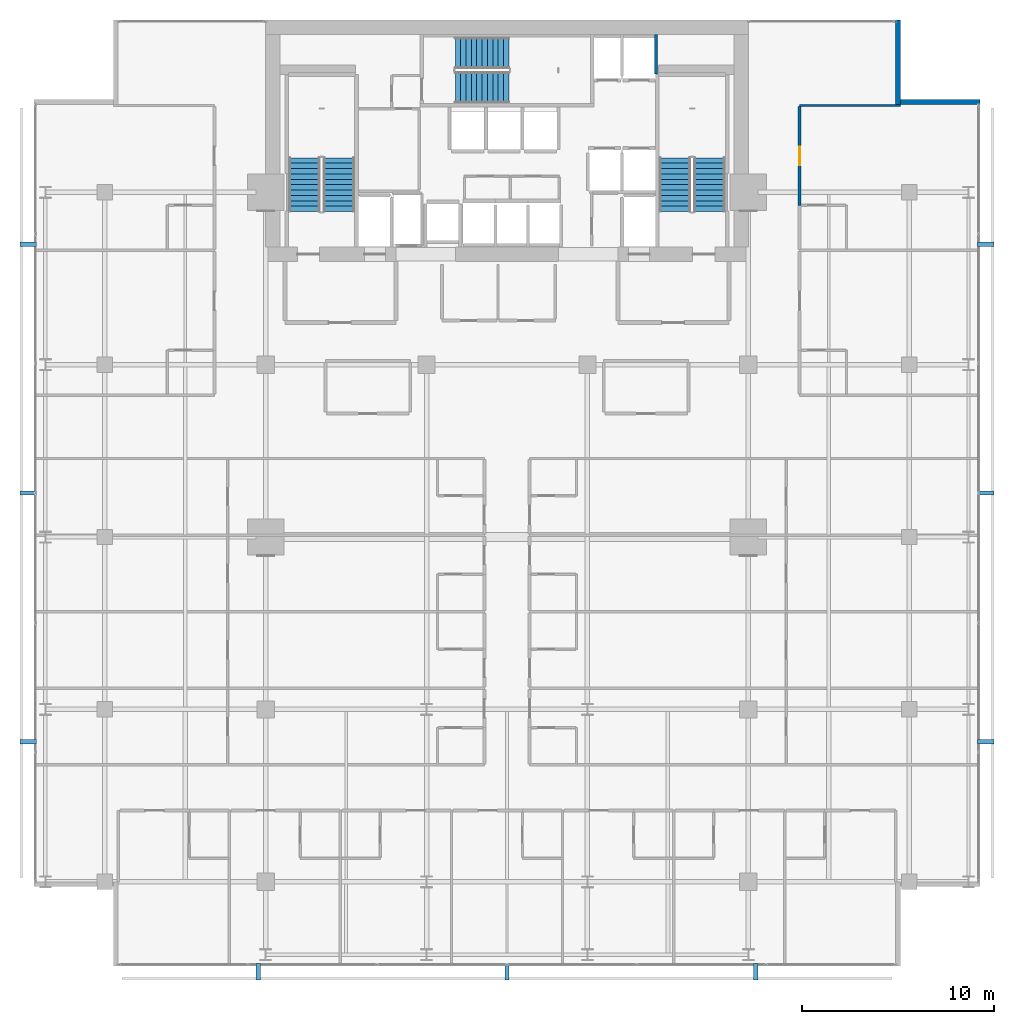
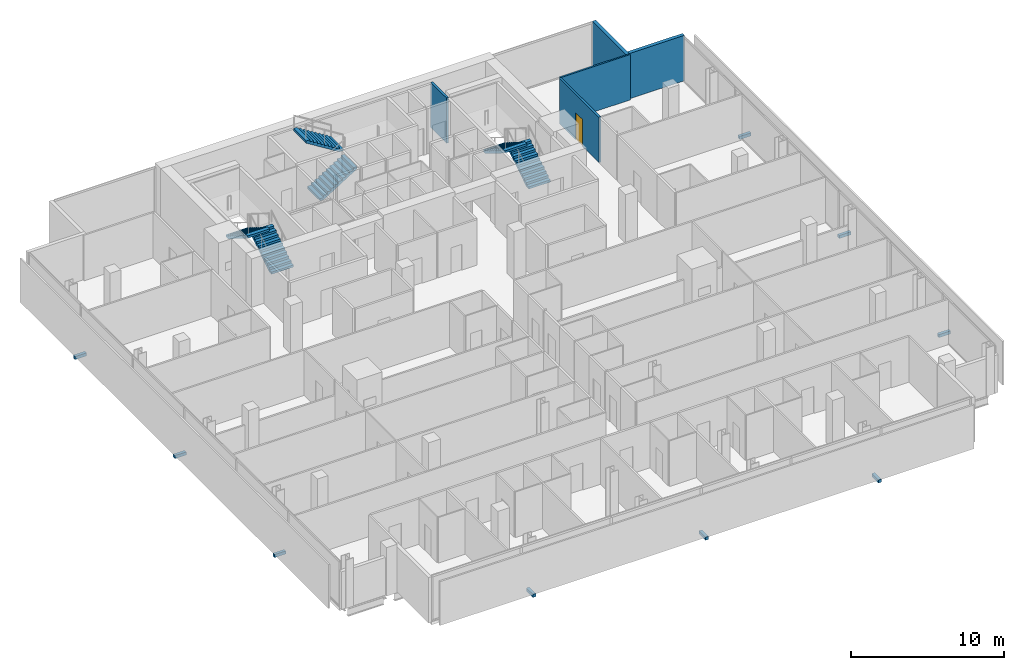
# One storey, part 32 of 34: 9 discrete accessories, 6 stair flights, 5 walls, 1 door, 1 opening, 3 elements without a shape of their own.
"""IFC4 building model written with IfcOpenShell, lengths in metres."""

from ifc_helpers import new_model, si_unit, direction, frame, frame_2d, origin, origin_2d, place, context, subcontext, project, spatial, polyline, rectangle, outline, extrude, material, layer, layer_set, type_object, element, fill, aggregate, save


model = new_model("IFC4")

# Units and contexts
model_context = context("Model", 3, precision=1e-05, world=origin(), true_north=direction((0.0, 1.0)))
body_context = subcontext(model_context, "Body", "Model", "MODEL_VIEW")
ifc_project = project(units=[si_unit("LENGTHUNIT", "METRE"), si_unit("AREAUNIT", "SQUARE_METRE"), si_unit("VOLUMEUNIT", "CUBIC_METRE"), si_unit("PLANEANGLEUNIT", "RADIAN"), si_unit("MASSUNIT", "GRAM", prefix="KILO")], contexts=[model_context])

# Site, building, storey
site_placement = place(None, origin())
site = spatial("IfcSite", under=ifc_project, at=site_placement, CompositionType="ELEMENT")
building_placement = place(site_placement, origin())
building = spatial("IfcBuilding", under=site, at=building_placement, Name="Maruvema Waterfront Hotel and Observation Tower", CompositionType="ELEMENT")
storey_placement = place(building_placement, frame((0.0, 0.0, 135.10009765625)))
storey = spatial("IfcBuildingStorey", under=building, at=storey_placement, Name="L32", CompositionType="ELEMENT", Elevation=135.10009765625)

# Wall, opening, door
ifc_material_1 = material(Name="Twin-stud acoustic gypsum drywall", Category="gypsum")
ifc_layer_1 = layer(ifc_material_1, 0.14990234375, Name="Acoustic Corridor and Suite Demising Wall 150 mm")
ifc_layer_set_1 = layer_set([ifc_layer_1], Name="Twin-stud acoustic gypsum drywall")
wall_type_1 = type_object("IfcWallType", Name="Acoustic Corridor and Suite Demising Wall 150 mm", PredefinedType="PARTITIONING", material=ifc_layer_set_1)
wall_1_placement = place(storey_placement, frame((53.080078125, 44.31884765625, 0.0), z_axis=(0.0, 0.0, 1.0), x_axis=(0.0, 1.0, 0.0)))
wall_1 = element("IfcWall", 1, at=wall_1_placement, inside=storey, type_object=wall_type_1, Name="L32 Room L32-NE2 Corridor Wall 140", PredefinedType="PARTITIONING", context=body_context, shape_type="SweptSolid", body=[
    extrude(rectangle(XDim=5.15869140625, YDim=0.14990234375, at=frame_2d((2.579345703125, 0.0))), origin(), (0.0, 0.0, 1.0), 3.60986328125),
])
opening_placement = place(wall_1_placement, frame((2.104248046875, 0.0, 0.0)))
opening = element("IfcOpeningElement", 2, at=opening_placement, cuts=wall_1, Name="Opening DR-095", PredefinedType="OPENING", context=body_context, shape_type="SweptSolid", body=[
    extrude(rectangle(XDim=0.949951171875, YDim=2.14990234375, at=frame_2d((0.47509765625, 1.074951171875))), frame((0.0, 0.0849609375, 0.0), z_axis=(0.0, -1.0, 0.0), x_axis=(1.0, 0.0, 0.0)), (0.0, 0.0, 1.0), 0.169921875),
])
ifc_material_2 = material(Name="Acoustic solid-core hardwood timber leaf", Category="wood")
door_type = type_object("IfcDoorType", Name="Guestroom Entrance Fire Door 950x2150 mm", OperationType="NOTDEFINED", PredefinedType="DOOR", material=ifc_material_2)
door_placement = place(opening_placement, frame((0.949951171875, 0.0, 0.0), z_axis=(0.0, 0.0, 1.0), x_axis=(-1.0, 0.0, 0.0)))
door = element("IfcDoor", 3, at=door_placement, inside=storey, type_object=door_type, Name="L32 Room L32-NE2 Entrance Door", OperationType="SINGLE_SWING_RIGHT", OverallHeight=2.14990234375, OverallWidth=0.949951171875, PredefinedType="DOOR", context=body_context, shape_type="SweptSolid", body=[
    extrude(rectangle(XDim=0.949951171875, YDim=2.14990234375, at=frame_2d((0.47509765625, 1.074951171875))), frame((0.0, 0.02490234375, 0.0), z_axis=(0.0, -1.0, 0.0), x_axis=(1.0, 0.0, 0.0)), (0.0, 0.0, 1.0), 0.050048828125),
])
fill(opening, door)

# Walls
ifc_material_3 = material(Name="Precast concrete C45/55 with honed Pernambuco granite facing", Category="masonry")
ifc_layer_2 = layer(ifc_material_3, 0.260009765625, Name="Exterior Granite Clad Spandrel and Pier Wall 260 mm")
ifc_layer_set_2 = layer_set([ifc_layer_2], Name="Precast concrete C45/55 with honed Pernambuco granite facing")
wall_type_2 = type_object("IfcWallType", Name="Exterior Granite Clad Spandrel and Pier Wall 260 mm", PredefinedType="SOLIDWALL", material=ifc_layer_set_2)
for number, where, z_axis, x_axis, name in (
    (4, (58.22998046875, 54.0, 0.0), (0.0, 0.0, 1.0), (0.0, -1.0, 0.0), "L32 Corner Notch Granite Pier Wall NE1"),
    (5, (58.10009765625, 49.72998046875, 0.0), (0.0, 0.0, 1.0), (1.0, 0.0, 0.0), "L32 Corner Notch Granite Pier Wall NE2"),
):
    element("IfcWall", number, at=place(storey_placement, frame(where, z_axis=z_axis, x_axis=x_axis)), inside=storey, type_object=wall_type_2, Name=name, PredefinedType="SOLIDWALL", context=body_context, shape_type="SweptSolid", body=[
        extrude(rectangle(XDim=4.39990234375, YDim=0.260009765625, at=frame_2d((2.199951171875, 0.0))), origin(), (0.0, 0.0, 1.0), 3.60986328125),
    ])
ifc_material_4 = material(Name="Acoustic gypsum plasterboard drywall", Category="gypsum")
ifc_layer_3 = layer(ifc_material_4, 0.125, Name="Guestroom Acoustic Demising Wall 125 mm")
ifc_layer_set_3 = layer_set([ifc_layer_3], Name="Acoustic gypsum plasterboard drywall")
wall_type_3 = type_object("IfcWallType", Name="Guestroom Acoustic Demising Wall 125 mm", PredefinedType="PARTITIONING", material=ifc_layer_set_3)
wall_2_placement = place(storey_placement, frame((53.080078125, 49.53759765625, 0.0), z_axis=(0.0, 0.0, 1.0), x_axis=(1.0, 0.0, 0.0)))
element("IfcWall", 6, at=wall_2_placement, inside=storey, type_object=wall_type_3, Name="L32 Z2 NE Top End 124", PredefinedType="PARTITIONING", context=body_context, shape_type="SweptSolid", body=[
    extrude(rectangle(XDim=5.280029296875, YDim=0.125, at=frame_2d((2.64013671875, 0.0))), origin(), (0.0, 0.0, 1.0), 3.60986328125),
])
ifc_material_5 = material(Name="Precast concrete C45/55", Category="concrete")
ifc_layer_4 = layer(ifc_material_5, 0.159912109375, Name="Lift Hoistway Divider Wall 160 mm")
ifc_layer_set_4 = layer_set([ifc_layer_4], Name="Precast concrete C45/55")
wall_type_4 = type_object("IfcWallType", Name="Lift Hoistway Divider Wall 160 mm", PredefinedType="SOLIDWALL", material=ifc_layer_set_4)
wall_3_placement = place(storey_placement, frame((45.590087890625, 51.179931640625, 0.0), z_axis=(0.0, 0.0, 1.0), x_axis=(0.0, 1.0, 0.0)))
element("IfcWall", 7, at=wall_3_placement, inside=storey, type_object=wall_type_4, Name="L32 Hoistway Divider Wall", PredefinedType="SOLIDWALL", context=body_context, shape_type="SweptSolid", body=[
    extrude(rectangle(XDim=2.070068359375, YDim=0.159912109375, at=frame_2d((1.03515625, 0.0))), origin(), (0.0, 0.0, 1.0), 3.60986328125),
])

# Stair, stair flights
ifc_material_6 = material(Name="Concrete C50/60", Category="concrete")
stair_type = type_object("IfcStairType", Name="Dogleg Exit Stair 1650 mm (22R x 175.0 mm)", PredefinedType="HALF_TURN_STAIR", material=ifc_material_6)
stair_1_placement = place(storey_placement, origin())
stair_1 = element("IfcStair", 8, at=stair_1_placement, inside=storey, type_object=stair_type, Name="L32 ST-01", PredefinedType="HALF_TURN_STAIR")
ifc_material_7 = material(Name="Concrete C50/60", Category="concrete")
stair_flight_type = type_object("IfcStairFlightType", Name="Reinforced Concrete Stair Flight 1650 mm (11R x 175.0 mm)", PredefinedType="STRAIGHT", material=ifc_material_7)
stair_flight_1_placement = place(storey_placement, frame((29.02490234375, 44.0, 0.0), z_axis=(0.0, 0.0, 1.0), x_axis=(0.0, 1.0, 0.0)))
stair_flight_1 = element("IfcStairFlight", 9, at=stair_flight_1_placement, type_object=stair_flight_type, Name="ST-01 flight 1", NumberOfRisers=11, NumberOfTreads=10, PredefinedType="STRAIGHT", RiserHeight=0.175, TreadLength=0.28, context=body_context, shape_type="SweptSolid", body=[
    extrude(outline(polyline([(0.0, 0.0), (0.0, 0.175048828125), (0.280029296875, 0.175048828125), (0.280029296875, 0.35009765625), (0.56005859375, 0.35009765625), (0.56005859375, 0.52490234375), (0.840087890625, 0.52490234375), (0.840087890625, 0.699951171875), (1.1201171875, 0.699951171875), (1.1201171875, 0.875), (1.39990234375, 0.875), (1.39990234375, 1.050048828125), (1.679931640625, 1.050048828125), (1.679931640625, 1.22509765625), (1.9599609375, 1.22509765625), (1.9599609375, 1.39990234375), (2.239990234375, 1.39990234375), (2.239990234375, 1.574951171875), (2.52001953125, 1.574951171875), (2.52001953125, 1.75), (2.800048828125, 1.75), (2.800048828125, 1.925048828125), (2.800048828125, 1.5732421875), (0.28271484375, 0.0), (0.0, 0.0)])), frame((0.0, 0.824951171875, 0.0), z_axis=(0.0, -1.0, 0.0), x_axis=(1.0, 0.0, 0.0)), (0.0, 0.0, 1.0), 1.64990234375),
])
stair_flight_2_placement = place(storey_placement, frame((27.22509765625, 46.800048828125, 1.9248046875), z_axis=(0.0, 0.0, 1.0), x_axis=(0.0, -1.0, 0.0)))
stair_flight_2 = element("IfcStairFlight", 10, at=stair_flight_2_placement, type_object=stair_flight_type, Name="ST-01 flight 2", NumberOfRisers=11, NumberOfTreads=10, PredefinedType="STRAIGHT", RiserHeight=0.175, TreadLength=0.28, context=body_context, shape_type="SweptSolid", body=[
    extrude(outline(polyline([(0.0, 0.0), (0.0, 0.175048828125), (0.280029296875, 0.175048828125), (0.280029296875, 0.35009765625), (0.56005859375, 0.35009765625), (0.56005859375, 0.52490234375), (0.840087890625, 0.52490234375), (0.840087890625, 0.699951171875), (1.1201171875, 0.699951171875), (1.1201171875, 0.875), (1.39990234375, 0.875), (1.39990234375, 1.050048828125), (1.679931640625, 1.050048828125), (1.679931640625, 1.22509765625), (1.9599609375, 1.22509765625), (1.9599609375, 1.39990234375), (2.239990234375, 1.39990234375), (2.239990234375, 1.574951171875), (2.52001953125, 1.574951171875), (2.52001953125, 1.75), (2.800048828125, 1.75), (2.800048828125, 1.925048828125), (2.800048828125, 1.5732421875), (0.28271484375, 0.0), (0.0, 0.0)])), frame((0.0, 0.824951171875, 0.0), z_axis=(0.0, -1.0, 0.0), x_axis=(1.0, 0.0, 0.0)), (0.0, 0.0, 1.0), 1.64990234375),
])
aggregate(stair_1, [stair_flight_1, stair_flight_2])

stair_2_placement = place(storey_placement, origin())
stair_2 = element("IfcStair", 11, at=stair_2_placement, inside=storey, type_object=stair_type, Name="L32 ST-02", PredefinedType="HALF_TURN_STAIR")
stair_flight_3_placement = place(storey_placement, frame((35.10009765625, 50.47509765625, 0.0), z_axis=(0.0, 0.0, 1.0), x_axis=(1.0, 0.0, 0.0)))
stair_flight_3 = element("IfcStairFlight", 12, at=stair_flight_3_placement, type_object=stair_flight_type, Name="ST-02 flight 1", NumberOfRisers=11, NumberOfTreads=10, PredefinedType="STRAIGHT", RiserHeight=0.175, TreadLength=0.28, context=body_context, shape_type="SweptSolid", body=[
    extrude(outline(polyline([(0.0, 0.0), (0.0, 0.175048828125), (0.280029296875, 0.175048828125), (0.280029296875, 0.35009765625), (0.56005859375, 0.35009765625), (0.56005859375, 0.52490234375), (0.840087890625, 0.52490234375), (0.840087890625, 0.699951171875), (1.1201171875, 0.699951171875), (1.1201171875, 0.875), (1.39990234375, 0.875), (1.39990234375, 1.050048828125), (1.679931640625, 1.050048828125), (1.679931640625, 1.22509765625), (1.9599609375, 1.22509765625), (1.9599609375, 1.39990234375), (2.239990234375, 1.39990234375), (2.239990234375, 1.574951171875), (2.52001953125, 1.574951171875), (2.52001953125, 1.75), (2.800048828125, 1.75), (2.800048828125, 1.925048828125), (2.800048828125, 1.5732421875), (0.28271484375, 0.0), (0.0, 0.0)])), frame((0.0, 0.824951171875, 0.0), z_axis=(0.0, -1.0, 0.0), x_axis=(1.0, 0.0, 0.0)), (0.0, 0.0, 1.0), 1.64990234375),
])
stair_flight_4_placement = place(storey_placement, frame((37.89990234375, 52.27490234375, 1.9248046875), z_axis=(0.0, 0.0, 1.0), x_axis=(-1.0, 0.0, 0.0)))
stair_flight_4 = element("IfcStairFlight", 13, at=stair_flight_4_placement, type_object=stair_flight_type, Name="ST-02 flight 2", NumberOfRisers=11, NumberOfTreads=10, PredefinedType="STRAIGHT", RiserHeight=0.175, TreadLength=0.28, context=body_context, shape_type="SweptSolid", body=[
    extrude(outline(polyline([(0.0, 0.0), (0.0, 0.175048828125), (0.280029296875, 0.175048828125), (0.280029296875, 0.35009765625), (0.56005859375, 0.35009765625), (0.56005859375, 0.52490234375), (0.840087890625, 0.52490234375), (0.840087890625, 0.699951171875), (1.1201171875, 0.699951171875), (1.1201171875, 0.875), (1.39990234375, 0.875), (1.39990234375, 1.050048828125), (1.679931640625, 1.050048828125), (1.679931640625, 1.22509765625), (1.9599609375, 1.22509765625), (1.9599609375, 1.39990234375), (2.239990234375, 1.39990234375), (2.239990234375, 1.574951171875), (2.52001953125, 1.574951171875), (2.52001953125, 1.75), (2.800048828125, 1.75), (2.800048828125, 1.925048828125), (2.800048828125, 1.5732421875), (0.28271484375, 0.0), (0.0, 0.0)])), frame((0.0, 0.824951171875, 0.0), z_axis=(0.0, -1.0, 0.0), x_axis=(1.0, 0.0, 0.0)), (0.0, 0.0, 1.0), 1.64990234375),
])
aggregate(stair_2, [stair_flight_3, stair_flight_4])

stair_3_placement = place(storey_placement, origin())
stair_3 = element("IfcStair", 14, at=stair_3_placement, inside=storey, type_object=stair_type, Name="L32 ST-03", PredefinedType="HALF_TURN_STAIR")
stair_flight_5_placement = place(storey_placement, frame((48.375, 44.0, 0.0), z_axis=(0.0, 0.0, 1.0), x_axis=(0.0, 1.0, 0.0)))
stair_flight_5 = element("IfcStairFlight", 15, at=stair_flight_5_placement, type_object=stair_flight_type, Name="ST-03 flight 1", NumberOfRisers=11, NumberOfTreads=10, PredefinedType="STRAIGHT", RiserHeight=0.175, TreadLength=0.28, context=body_context, shape_type="SweptSolid", body=[
    extrude(outline(polyline([(0.0, 0.0), (0.0, 0.175048828125), (0.280029296875, 0.175048828125), (0.280029296875, 0.35009765625), (0.56005859375, 0.35009765625), (0.56005859375, 0.52490234375), (0.840087890625, 0.52490234375), (0.840087890625, 0.699951171875), (1.1201171875, 0.699951171875), (1.1201171875, 0.875), (1.39990234375, 0.875), (1.39990234375, 1.050048828125), (1.679931640625, 1.050048828125), (1.679931640625, 1.22509765625), (1.9599609375, 1.22509765625), (1.9599609375, 1.39990234375), (2.239990234375, 1.39990234375), (2.239990234375, 1.574951171875), (2.52001953125, 1.574951171875), (2.52001953125, 1.75), (2.800048828125, 1.75), (2.800048828125, 1.925048828125), (2.800048828125, 1.5732421875), (0.28271484375, 0.0), (0.0, 0.0)])), frame((0.0, 0.824951171875, 0.0), z_axis=(0.0, -1.0, 0.0), x_axis=(1.0, 0.0, 0.0)), (0.0, 0.0, 1.0), 1.64990234375),
])
stair_flight_6_placement = place(storey_placement, frame((46.574951171875, 46.800048828125, 1.9248046875), z_axis=(0.0, 0.0, 1.0), x_axis=(0.0, -1.0, 0.0)))
stair_flight_6 = element("IfcStairFlight", 16, at=stair_flight_6_placement, type_object=stair_flight_type, Name="ST-03 flight 2", NumberOfRisers=11, NumberOfTreads=10, PredefinedType="STRAIGHT", RiserHeight=0.175, TreadLength=0.28, context=body_context, shape_type="SweptSolid", body=[
    extrude(outline(polyline([(0.0, 0.0), (0.0, 0.175048828125), (0.280029296875, 0.175048828125), (0.280029296875, 0.35009765625), (0.56005859375, 0.35009765625), (0.56005859375, 0.52490234375), (0.840087890625, 0.52490234375), (0.840087890625, 0.699951171875), (1.1201171875, 0.699951171875), (1.1201171875, 0.875), (1.39990234375, 0.875), (1.39990234375, 1.050048828125), (1.679931640625, 1.050048828125), (1.679931640625, 1.22509765625), (1.9599609375, 1.22509765625), (1.9599609375, 1.39990234375), (2.239990234375, 1.39990234375), (2.239990234375, 1.574951171875), (2.52001953125, 1.574951171875), (2.52001953125, 1.75), (2.800048828125, 1.75), (2.800048828125, 1.925048828125), (2.800048828125, 1.5732421875), (0.28271484375, 0.0), (0.0, 0.0)])), frame((0.0, 0.824951171875, 0.0), z_axis=(0.0, -1.0, 0.0), x_axis=(1.0, 0.0, 0.0)), (0.0, 0.0, 1.0), 1.64990234375),
])
aggregate(stair_3, [stair_flight_5, stair_flight_6])

# Discrete accessories
ifc_material_8 = material(Name="Duplex stainless steel Grade 2205", Category="steel")
discrete_accessory_type = type_object("IfcDiscreteAccessoryType", Name="Double-Skin Cavity Stainless Outrigger Bracket", PredefinedType="BRACKET", material=ifc_material_8)
for number, where, z_axis, x_axis, name in (
    (17, (24.80810546875, 4.300048828125, -0.14013671875), (0.0, 0.0, 1.0), (1.0, 0.0, 0.0), "L32 Outer Skin Support Bracket 1"),
    (18, (37.800048828125, 4.300048828125, -0.14013671875), (0.0, 0.0, 1.0), (1.0, 0.0, 0.0), "L32 Outer Skin Support Bracket 2"),
    (19, (50.7919921875, 4.300048828125, -0.14013671875), (0.0, 0.0, 1.0), (1.0, 0.0, 0.0), "L32 Outer Skin Support Bracket 3"),
    (20, (62.800048828125, 16.30810546875, -0.14013671875), (0.0, 0.0, 1.0), (0.0, 1.0, 0.0), "L32 Outer Skin Support Bracket 1"),
    (21, (62.800048828125, 29.300048828125, -0.14013671875), (0.0, 0.0, 1.0), (0.0, 1.0, 0.0), "L32 Outer Skin Support Bracket 2"),
    (22, (62.800048828125, 42.2919921875, -0.14013671875), (0.0, 0.0, 1.0), (0.0, 1.0, 0.0), "L32 Outer Skin Support Bracket 3"),
    (23, (12.800048828125, 42.2919921875, -0.14013671875), (0.0, 0.0, 1.0), (0.0, -1.0, 0.0), "L32 Outer Skin Support Bracket 1"),
    (24, (12.800048828125, 29.300048828125, -0.14013671875), (0.0, 0.0, 1.0), (0.0, -1.0, 0.0), "L32 Outer Skin Support Bracket 2"),
    (25, (12.800048828125, 16.30810546875, -0.14013671875), (0.0, 0.0, 1.0), (0.0, -1.0, 0.0), "L32 Outer Skin Support Bracket 3"),
):
    element("IfcDiscreteAccessory", number, at=place(storey_placement, frame(where, z_axis=z_axis, x_axis=x_axis)), inside=storey, type_object=discrete_accessory_type, Name=name, PredefinedType="BRACKET", context=body_context, shape_type="SweptSolid", body=[
        extrude(rectangle(XDim=0.219970703125, YDim=0.860107421875, at=origin_2d()), origin(), (0.0, 0.0, 1.0), 0.239990234375),
    ])

save(model, "model.ifc")
